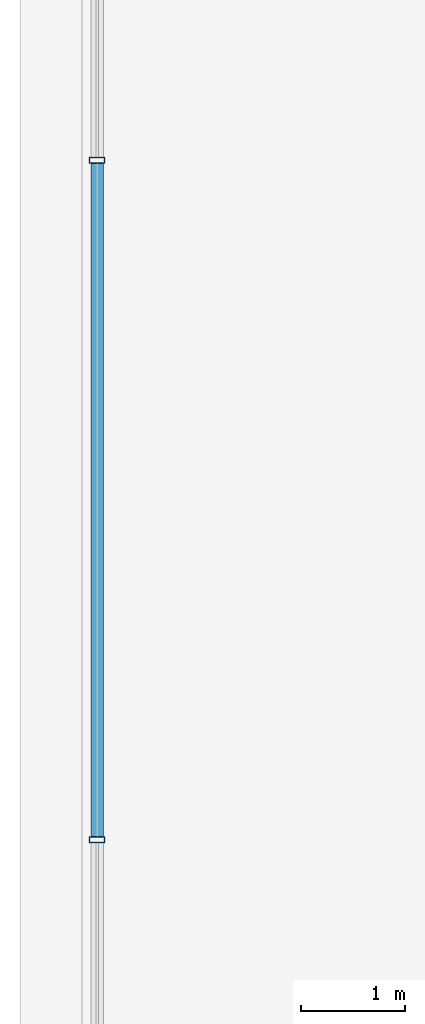
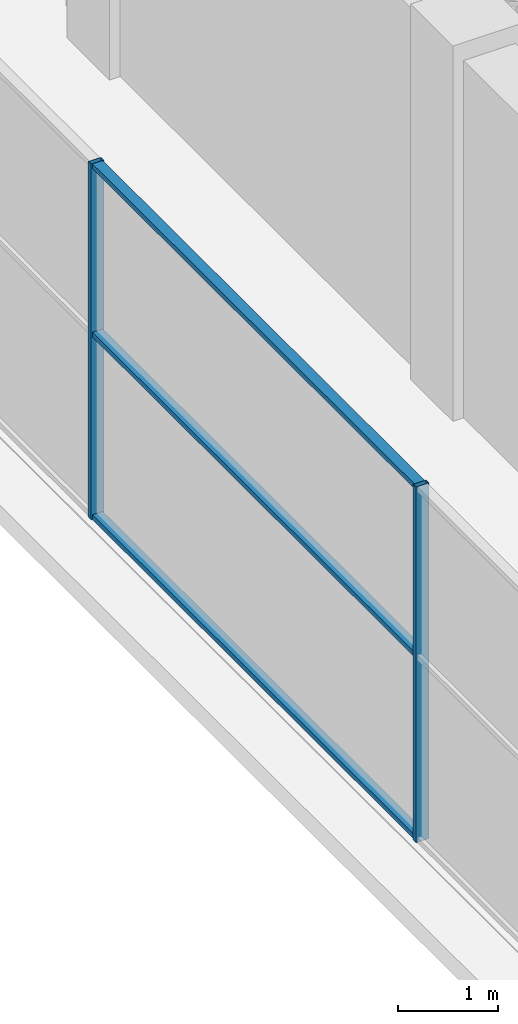
# One storey, part 11 of 26: 5 members, 1 element without a shape of its own.
"""IFC4 building model written with IfcOpenShell, lengths in metres."""

import ifcopenshell
import ifcopenshell.guid

model = None  # the IFC model being written
_history = None  # IfcOwnerHistory: only IFC2X3 demands one
_inside = {}  # id of a spatial element -> (the spatial element, [elements in it])
_under = {}  # id of a project, library or spatial element -> (it, [spatial elements below it])
_declared = {}  # id of a project -> (the project, [libraries it declares])
_typed = {}  # id of a type object -> (the type object, [elements of that type])
_made_of = {}  # id of a material, layer set ... -> (it, [elements and type objects made of it])


def new_model(schema):
    """Start an empty IFC model of exactly this schema.

    Asked for "IFC4X3", IfcOpenShell would pick the latest addendum, in which some entities
    have other attributes; the version numbers below select the first issue.
    IFC2X3 requires an IfcOwnerHistory on every rooted entity: one is made here for all.
    """
    global model, _history
    if schema == "IFC4X3":
        model = ifcopenshell.file(schema_version=(4, 3, 0, 0))
    else:
        model = ifcopenshell.file(schema=schema)
    _inside.clear()
    _under.clear()
    _declared.clear()
    _typed.clear()
    _made_of.clear()
    _history = None
    if model.schema == "IFC2X3":
        org = make("IfcOrganization", Name="unknown")
        user = make(
            "IfcPersonAndOrganization",
            ThePerson=make("IfcPerson", FamilyName="unknown"),
            TheOrganization=org,
        )
        app = make(
            "IfcApplication",
            ApplicationDeveloper=org,
            Version="unknown",
            ApplicationFullName="unknown",
            ApplicationIdentifier="unknown",
        )
        _history = make(
            "IfcOwnerHistory",
            OwningUser=user,
            OwningApplication=app,
            ChangeAction="ADDED",
            CreationDate=0,
        )
    return model


def make(cls, **values):
    """One entity of the class cls with the attributes given. An attribute that is None is left unset."""
    return model.create_entity(
        cls, **{name: value for name, value in values.items() if value is not None}
    )


def rooted(cls, **values):
    """An entity with a GlobalId (a new one), such as an element, a storey or a relation."""
    return make(cls, GlobalId=ifcopenshell.guid.new(), OwnerHistory=_history, **values)


def si_unit(unit_type, name, prefix=None):
    """IfcSIUnit, for example si_unit("LENGTHUNIT", "METRE", prefix="MILLI")."""
    return make("IfcSIUnit", UnitType=unit_type, Prefix=prefix, Name=name)


def assignment(units):
    """IfcUnitAssignment: the units of a project."""
    return None if units is None else make("IfcUnitAssignment", Units=units)


def point(xyz):
    """IfcCartesianPoint."""
    return None if xyz is None else make("IfcCartesianPoint", Coordinates=xyz)


def direction(xyz):
    """IfcDirection."""
    return None if xyz is None else make("IfcDirection", DirectionRatios=xyz)


def frame(location, z_axis=None, x_axis=None):
    """IfcAxis2Placement3D, a coordinate frame: its origin and axes. An axis left out is left unset."""
    return make(
        "IfcAxis2Placement3D",
        Location=point(location),
        Axis=direction(z_axis),
        RefDirection=direction(x_axis),
    )


def frame_2d(location, x_axis=None):
    """IfcAxis2Placement2D, a coordinate frame in the plane: its origin and x axis."""
    return make(
        "IfcAxis2Placement2D", Location=point(location), RefDirection=direction(x_axis)
    )


def origin():
    """The frame at (0, 0, 0) with its axes left unset."""
    return frame((0.0, 0.0, 0.0))


def origin_2d():
    """The frame at (0, 0) in the plane with its x axis left unset."""
    return frame_2d((0.0, 0.0))


def place(relative_to, where):
    """IfcLocalPlacement: puts the frame where relative to a parent placement (None: the world)."""
    return make(
        "IfcLocalPlacement", PlacementRelTo=relative_to, RelativePlacement=where
    )


def context(
    kind, dimensions, precision=None, world=None, true_north=None, identifier=None
):
    """IfcGeometricRepresentationContext, for example the 3D "Model" context."""
    return make(
        "IfcGeometricRepresentationContext",
        ContextIdentifier=identifier,
        ContextType=kind,
        CoordinateSpaceDimension=dimensions,
        Precision=precision,
        WorldCoordinateSystem=world,
        TrueNorth=true_north,
    )


def subcontext(parent, identifier, kind, view, scale=None):
    """IfcGeometricRepresentationSubContext, for example "Body" below "Model"."""
    return make(
        "IfcGeometricRepresentationSubContext",
        ContextIdentifier=identifier,
        ContextType=kind,
        ParentContext=parent,
        TargetScale=scale,
        TargetView=view,
    )


def project(units=None, contexts=None):
    """IfcProject with its units and contexts."""
    return rooted(
        "IfcProject",
        Name="project",
        RepresentationContexts=contexts,
        UnitsInContext=assignment(units),
    )


def spatial(cls, under=None, at=None, **own):
    """A site, building, storey or space (cls), placed at a placement, below another one or the project."""
    s = rooted(cls, ObjectPlacement=at, **own)
    if under is not None:
        _under.setdefault(under.id(), (under, []))[1].append(s)
    return s


def profile(cls, at=None, kind="AREA", **sizes):
    """A parametric profile (cls). Its sizes go by their IFC names, for example OverallWidth=200.0."""
    return make(cls, ProfileType=kind, Position=at, **sizes)


def hollow_rectangle(**sizes):
    """IfcRectangleHollowProfileDef."""
    return profile("IfcRectangleHollowProfileDef", **sizes)


def extrude(swept, where, along, depth):
    """IfcExtrudedAreaSolid: the profile swept, set in the frame where, extruded along a direction by depth."""
    return make(
        "IfcExtrudedAreaSolid",
        SweptArea=swept,
        Position=where,
        ExtrudedDirection=direction(along),
        Depth=depth,
    )


def shape(context_of_items, identifier, shape_type, items):
    """IfcShapeRepresentation: the items that make up one representation, for example the "Body"."""
    return make(
        "IfcShapeRepresentation",
        ContextOfItems=context_of_items,
        RepresentationIdentifier=identifier,
        RepresentationType=shape_type,
        Items=items,
    )


def source(mapping_origin, context_of_items, identifier, shape_type, items):
    """IfcRepresentationMap: a shape defined once, which mapped items show again and again."""
    return make(
        "IfcRepresentationMap",
        MappingOrigin=mapping_origin,
        MappedRepresentation=shape(context_of_items, identifier, shape_type, items),
    )


def transform(
    local_origin,
    x_axis=None,
    y_axis=None,
    z_axis=None,
    scale=None,
    scale2=None,
    scale3=None,
    uniform=True,
):
    """IfcCartesianTransformationOperator3D, or its non-uniform kind. x_axis, y_axis, z_axis: its Axis1, 2, 3."""
    if uniform:
        return make(
            "IfcCartesianTransformationOperator3D",
            Axis1=direction(x_axis),
            Axis2=direction(y_axis),
            LocalOrigin=point(local_origin),
            Scale=scale,
            Axis3=direction(z_axis),
        )
    return make(
        "IfcCartesianTransformationOperator3DnonUniform",
        Axis1=direction(x_axis),
        Axis2=direction(y_axis),
        LocalOrigin=point(local_origin),
        Scale=scale,
        Axis3=direction(z_axis),
        Scale2=scale2,
        Scale3=scale3,
    )


def mapped(mapping_source, mapping_target):
    """IfcMappedItem: shows the shape of a source again, moved by a transform."""
    return make(
        "IfcMappedItem", MappingSource=mapping_source, MappingTarget=mapping_target
    )


def material(Name=None, Category=None):
    """IfcMaterial."""
    return make("IfcMaterial", Name=Name, Category=Category)


def layer(
    of_material, thickness, ventilated=None, Name=None, Category=None, Priority=None
):
    """IfcMaterialLayer: one layer of a wall or slab, of a material (None: an air gap)."""
    return make(
        "IfcMaterialLayer",
        Material=of_material,
        LayerThickness=thickness,
        IsVentilated=ventilated,
        Name=Name,
        Category=Category,
        Priority=Priority,
    )


def layer_set(layers, Name=None):
    """IfcMaterialLayerSet."""
    return make("IfcMaterialLayerSet", MaterialLayers=layers, LayerSetName=Name)


def material_profile(
    of_material, cross_section, Name=None, Category=None, Priority=None
):
    """IfcMaterialProfile: a cross section and its material."""
    return make(
        "IfcMaterialProfile",
        Name=Name,
        Material=of_material,
        Profile=cross_section,
        Priority=Priority,
        Category=Category,
    )


def profile_set(profiles, Name=None, composite=None):
    """IfcMaterialProfileSet."""
    return make(
        "IfcMaterialProfileSet",
        Name=Name,
        MaterialProfiles=profiles,
        CompositeProfile=composite,
    )


def made_of(thing, what):
    """Note that an element or type object is made of a material, layer set ...; save() writes the relation."""
    if what is not None:
        _made_of.setdefault(what.id(), (what, []))[1].append(thing)
    return thing


def type_object(cls, material=None, **own):
    """A type object (cls), such as IfcWallType, which elements share."""
    return made_of(rooted(cls, **own), material)


def element(
    cls,
    number,
    at=None,
    inside=None,
    cuts=None,
    type_object=None,
    material=None,
    context=None,
    identifier="Body",
    shape_type=None,
    held_by="IfcProductDefinitionShape",
    body=None,
    shapes=None,
    **own,
):
    """One element of the class cls, such as IfcWall. Its Tag is "e" and its number.

    at: its placement. inside: the storey or other place that contains it. cuts: it is an
    opening in that element (IfcRelVoidsElement). A single representation is given by context,
    identifier, shape_type and body (its items); several are given by shapes. held_by: the class
    of the entity that holds the representations. save() writes the other relations.
    """
    e = rooted(cls, Tag="e%d" % number, ObjectPlacement=at, **own)
    if body is not None:
        shapes = [shape(context, identifier, shape_type, body)]
    if shapes is not None:
        e.Representation = make(held_by, Representations=shapes)
    if inside is not None:
        _inside.setdefault(inside.id(), (inside, []))[1].append(e)
    if cuts is not None:
        rooted(
            "IfcRelVoidsElement", RelatingBuildingElement=cuts, RelatedOpeningElement=e
        )
    if type_object is not None:
        _typed.setdefault(type_object.id(), (type_object, []))[1].append(e)
    return made_of(e, material)


def aggregate(whole, parts):
    """IfcRelAggregates: a whole, such as a stair, and the parts it consists of."""
    return rooted("IfcRelAggregates", RelatingObject=whole, RelatedObjects=parts)


def save(model, path):
    """Write the relations noted so far, then the file.

    IfcRelAggregates (storeys below a building ...), IfcRelContainedInSpatialStructure (elements
    in a storey), IfcRelDefinesByType, IfcRelAssociatesMaterial and IfcRelDeclares: one each for
    every whole, place, type object, material and project.
    """
    for whole, parts in _under.values():
        aggregate(whole, parts)
    for where, things in _inside.values():
        rooted(
            "IfcRelContainedInSpatialStructure",
            RelatedElements=things,
            RelatingStructure=where,
        )
    for kind, things in _typed.values():
        rooted("IfcRelDefinesByType", RelatedObjects=things, RelatingType=kind)
    for what, things in _made_of.values():
        rooted("IfcRelAssociatesMaterial", RelatedObjects=things, RelatingMaterial=what)
    for by, libraries in _declared.values():
        rooted("IfcRelDeclares", RelatingContext=by, RelatedDefinitions=libraries)
    model.write(path)


model = new_model("IFC4")

# Units and contexts
model_context = context("Model", 3, precision=1e-05, world=origin(), true_north=direction((0.0, 1.0)))
body_context = subcontext(model_context, "Body", "Model", "MODEL_VIEW")
ifc_project = project(units=[si_unit("LENGTHUNIT", "METRE"), si_unit("AREAUNIT", "SQUARE_METRE"), si_unit("VOLUMEUNIT", "CUBIC_METRE"), si_unit("PLANEANGLEUNIT", "RADIAN"), si_unit("MASSUNIT", "GRAM", prefix="KILO")], contexts=[model_context])

# Site, building, storey
site_placement = place(None, origin())
site = spatial("IfcSite", under=ifc_project, at=site_placement, CompositionType="ELEMENT")
building_placement = place(site_placement, origin())
building = spatial("IfcBuilding", under=site, at=building_placement, Name="Zarnakvel Exchange Tower", CompositionType="ELEMENT")
storey_placement = place(building_placement, frame((0.0, 0.0, 285.39990234375)))
storey = spatial("IfcBuildingStorey", under=building, at=storey_placement, Name="Crown L80", CompositionType="ELEMENT", Elevation=285.39990234375)

# Curtain wall, members
ifc_material = material(Name="Architectural Bronze Anodised Aluminium", Category="aluminium")
ifc_layer = layer(ifc_material, 0.14990234375)
ifc_layer_set = layer_set([ifc_layer], Name="Architectural Bronze Anodised Aluminium")
curtain_wall_type = type_object("IfcCurtainWallType", Name="CW-07", PredefinedType="NOTDEFINED", material=ifc_layer_set)
curtain_wall_placement = place(storey_placement, origin())
curtain_wall = element("IfcCurtainWall", 1, at=curtain_wall_placement, inside=storey, type_object=curtain_wall_type, Name="Crown L80 Curtain Wall CW-Crown L80-W (CW-07)", PredefinedType="NOTDEFINED")
ifc_material_profile_1 = material_profile(ifc_material, hollow_rectangle(XDim=0.14990234375, YDim=0.06005859375, WallThickness=0.00390625, at=origin_2d()))
ifc_profile_set_1 = profile_set([ifc_material_profile_1], Name="Architectural Bronze Anodised Aluminium")
member_type_1 = type_object("IfcMemberType", Name="CWM-07", PredefinedType="MULLION", material=ifc_profile_set_1)
shared_shape_1 = source(origin(), body_context, "Body", "SweptSolid", [
    extrude(hollow_rectangle(XDim=0.14990234375, YDim=0.06005859375, WallThickness=0.00390625, at=origin_2d()), origin(), (0.0, 0.0, 1.0), 4.360107421875),
])
member_1_placement = place(storey_placement, frame((-18.760009765625, 0.0, 0.0), z_axis=(0.0, 0.0, 1.0), x_axis=(-1.0, 0.0, 0.0)))
member_1 = element("IfcMember", 2, at=member_1_placement, type_object=member_type_1, Name="CW-07 mullion 3", PredefinedType="MULLION", context=body_context, shape_type="MappedRepresentation", body=[
    mapped(shared_shape_1, transform((0.0, 0.0, 0.0), x_axis=(1.0, 0.0, 0.0), y_axis=(0.0, 1.0, 0.0), z_axis=(0.0, 0.0, 1.0), scale=1.0)),
])
member_2_placement = place(storey_placement, frame((-18.760009765625, 6.52490234375, 0.0), z_axis=(0.0, 0.0, 1.0), x_axis=(-1.0, 0.0, 0.0)))
member_2 = element("IfcMember", 3, at=member_2_placement, type_object=member_type_1, Name="CW-07 mullion 4", PredefinedType="MULLION", context=body_context, shape_type="MappedRepresentation", body=[
    mapped(shared_shape_1, transform((0.0, 0.0, 0.0), x_axis=(1.0, 0.0, 0.0), y_axis=(0.0, 1.0, 0.0), z_axis=(0.0, 0.0, 1.0), scale=1.0)),
])
ifc_material_profile_2 = material_profile(ifc_material, hollow_rectangle(XDim=0.1201171875, YDim=0.06005859375, WallThickness=0.00390625, at=origin_2d()))
ifc_profile_set_2 = profile_set([ifc_material_profile_2], Name="Architectural Bronze Anodised Aluminium")
member_type_2 = type_object("IfcMemberType", Name="CWT-07", PredefinedType="USERDEFINED", material=ifc_profile_set_2)
shared_shape_2 = source(origin(), body_context, "Body", "SweptSolid", [
    extrude(hollow_rectangle(XDim=0.1201171875, YDim=0.06005859375, WallThickness=0.00390625, at=origin_2d()), origin(), (0.0, 0.0, 1.0), 6.465087890625),
])
member_3_placement = place(storey_placement, frame((-18.760009765625, 0.030029296875, 0.030029296875), z_axis=(0.0, 1.0, 0.0), x_axis=(-1.0, 0.0, 0.0)))
member_3 = element("IfcMember", 4, at=member_3_placement, type_object=member_type_2, Name="CW-07 transom 3.1", ObjectType="TRANSOM", PredefinedType="USERDEFINED", context=body_context, shape_type="MappedRepresentation", body=[
    mapped(shared_shape_2, transform((0.0, 0.0, 0.0), x_axis=(1.0, 0.0, 0.0), y_axis=(0.0, 1.0, 0.0), z_axis=(0.0, 0.0, 1.0), scale=1.0)),
])
member_4_placement = place(storey_placement, frame((-18.760009765625, 0.030029296875, 2.267333984375), z_axis=(0.0, 1.0, 0.0), x_axis=(-1.0, 0.0, 0.0)))
member_4 = element("IfcMember", 5, at=member_4_placement, type_object=member_type_2, Name="CW-07 transom 3.2", ObjectType="TRANSOM", PredefinedType="USERDEFINED", context=body_context, shape_type="MappedRepresentation", body=[
    mapped(shared_shape_2, transform((0.0, 0.0, 0.0), x_axis=(1.0, 0.0, 0.0), y_axis=(0.0, 1.0, 0.0), z_axis=(0.0, 0.0, 1.0), scale=1.0)),
])
member_5_placement = place(storey_placement, frame((-18.760009765625, 0.030029296875, 4.330078125), z_axis=(0.0, 1.0, 0.0), x_axis=(-1.0, 0.0, 0.0)))
member_5 = element("IfcMember", 6, at=member_5_placement, type_object=member_type_2, Name="CW-07 transom 3.3", ObjectType="TRANSOM", PredefinedType="USERDEFINED", context=body_context, shape_type="MappedRepresentation", body=[
    mapped(shared_shape_2, transform((0.0, 0.0, 0.0), x_axis=(1.0, 0.0, 0.0), y_axis=(0.0, 1.0, 0.0), z_axis=(0.0, 0.0, 1.0), scale=1.0)),
])
aggregate(curtain_wall, [member_1, member_2, member_3, member_4, member_5])

save(model, "model.ifc")
